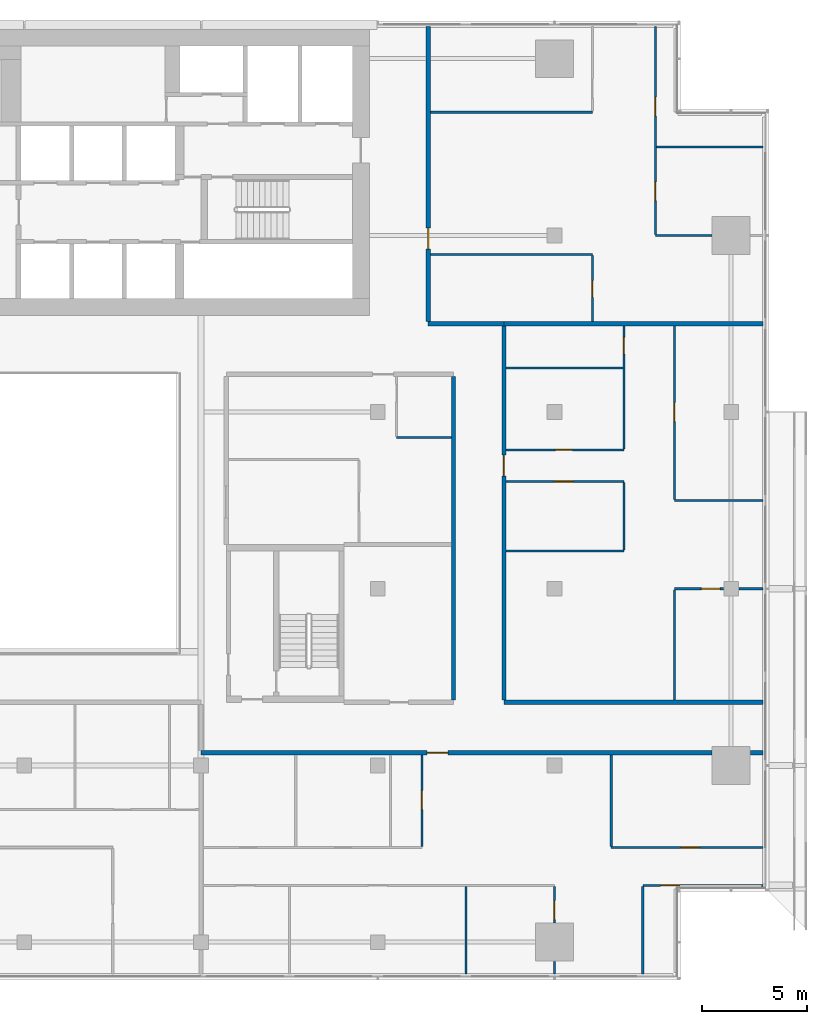
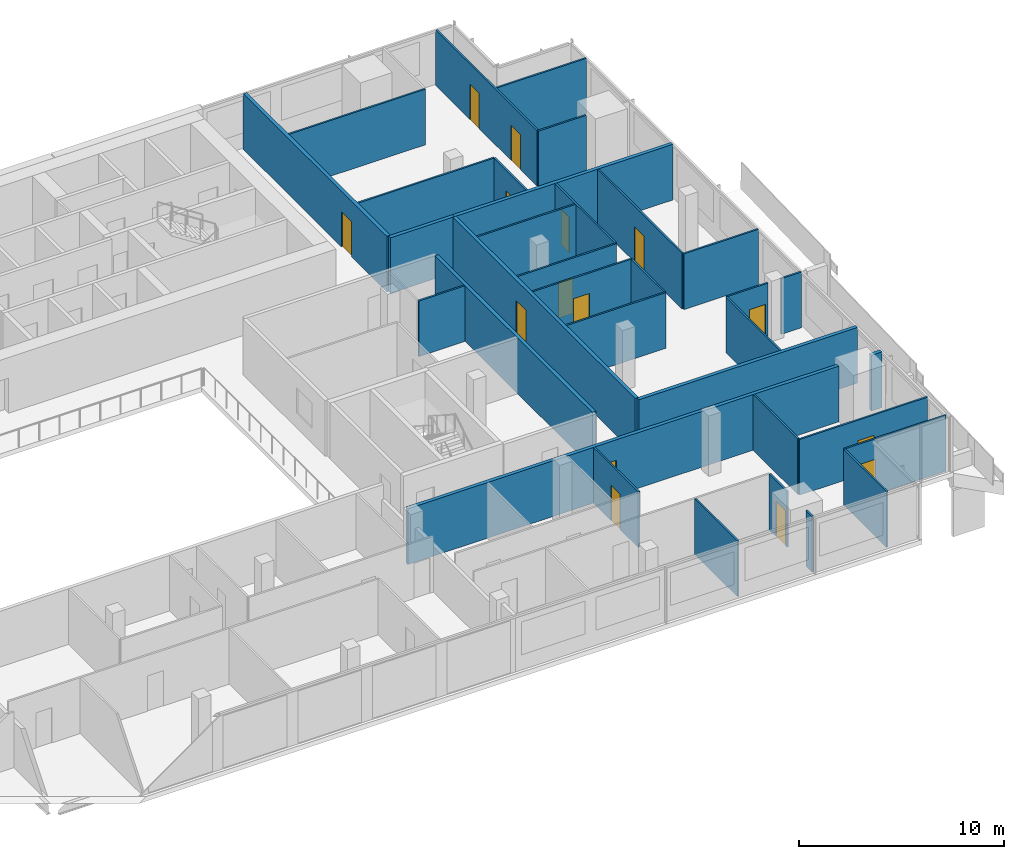
# One storey, part 22 of 27: 34 walls, 15 doors, 15 openings.
"""IFC4 building model written with IfcOpenShell, lengths in metres."""

from ifc_helpers import new_model, si_unit, direction, frame, frame_2d, origin, place, context, subcontext, project, spatial, rectangle, extrude, material, layer, layer_set, type_object, element, fill, save


model = new_model("IFC4")

# Units and contexts
model_context = context("Model", 3, precision=1e-05, world=origin(), true_north=direction((0.0, 1.0)))
body_context = subcontext(model_context, "Body", "Model", "MODEL_VIEW")
ifc_project = project(units=[si_unit("LENGTHUNIT", "METRE"), si_unit("AREAUNIT", "SQUARE_METRE"), si_unit("VOLUMEUNIT", "CUBIC_METRE"), si_unit("PLANEANGLEUNIT", "RADIAN"), si_unit("MASSUNIT", "GRAM", prefix="KILO")], contexts=[model_context])

# Site, building, storey
site_placement = place(None, origin())
site = spatial("IfcSite", under=ifc_project, at=site_placement, CompositionType="ELEMENT")
building_placement = place(site_placement, origin())
building = spatial("IfcBuilding", under=site, at=building_placement, Name="Saffron Gate Tower", CompositionType="ELEMENT")
storey_placement = place(building_placement, frame((0.0, 0.0, 183.449951171875)))
storey = spatial("IfcBuildingStorey", under=building, at=storey_placement, Name="L45", CompositionType="ELEMENT", Elevation=183.449951171875)

# Wall, opening, door
ifc_material_1 = material(Name="Plasterboard on steel studs", Category="steel")
ifc_layer_1 = layer(ifc_material_1, 0.10009765625)
ifc_layer_set_1 = layer_set([ifc_layer_1], Name="PW1 Partition 100")
wall_type_1 = type_object("IfcWallType", Name="PW1 Partition 100", PredefinedType="PARTITIONING", material=ifc_layer_set_1)
wall_1_placement = place(storey_placement, frame((126.919921875, 34.5, 0.0), z_axis=(0.0, 0.0, 1.0), x_axis=(-1.0, 0.0, 0.0)))
wall_1 = element("IfcWall", 1, at=wall_1_placement, inside=storey, type_object=wall_type_1, Name="Partition C4-2", PredefinedType="PARTITIONING", context=body_context, shape_type="SweptSolid", body=[
    extrude(rectangle(XDim=5.719970703125, YDim=0.10009765625, at=frame_2d((2.85986328125, 0.0))), origin(), (0.0, 0.0, 1.0), 3.320068359375),
])
opening_1_placement = place(wall_1_placement, frame((3.96630859375, 0.0, 0.0)))
opening_1 = element("IfcOpeningElement", 2, at=opening_1_placement, cuts=wall_1, Name="Opening C4-23", PredefinedType="OPENING", context=body_context, shape_type="SweptSolid", body=[
    extrude(rectangle(XDim=0.89990234375, YDim=2.10009765625, at=frame_2d((0.449951171875, 1.050048828125))), frame((0.0, 0.06005859375, 0.0), z_axis=(0.0, -1.0, 0.0), x_axis=(1.0, 0.0, 0.0)), (0.0, 0.0, 1.0), 0.1201171875),
])
ifc_material_2 = material(Name="Timber door set", Category="wood")
door_type_1 = type_object("IfcDoorType", Name="RD1 Room door 900x2100", OperationType="NOTDEFINED", PredefinedType="DOOR", material=ifc_material_2)
door_1_placement = place(opening_1_placement, origin())
door_1 = element("IfcDoor", 3, at=door_1_placement, inside=storey, type_object=door_type_1, Name="Door C4-23", OperationType="SINGLE_SWING_RIGHT", OverallHeight=2.10009765625, OverallWidth=0.89990234375, PredefinedType="DOOR", context=body_context, shape_type="SweptSolid", body=[
    extrude(rectangle(XDim=0.89990234375, YDim=2.10009765625, at=frame_2d((0.449951171875, 1.050048828125))), frame((0.0, 0.02490234375, 0.0), z_axis=(0.0, -1.0, 0.0), x_axis=(1.0, 0.0, 0.0)), (0.0, 0.0, 1.0), 0.050048828125),
])
fill(opening_1, door_1)

wall_2_placement = place(storey_placement, frame((119.699951171875, 36.300048828125, 0.0), z_axis=(0.0, 0.0, 1.0), x_axis=(1.0, 0.0, 0.0)))
wall_2 = element("IfcWall", 4, at=wall_2_placement, inside=storey, type_object=wall_type_1, Name="Partition C4-7", PredefinedType="PARTITIONING", context=body_context, shape_type="SweptSolid", body=[
    extrude(rectangle(XDim=7.219970703125, YDim=0.10009765625, at=frame_2d((3.60986328125, 0.0))), origin(), (0.0, 0.0, 1.0), 3.320068359375),
])
opening_2_placement = place(wall_2_placement, frame((3.300048828125, 0.0, 0.0)))
opening_2 = element("IfcOpeningElement", 5, at=opening_2_placement, cuts=wall_2, Name="Opening C4-24", PredefinedType="OPENING", context=body_context, shape_type="SweptSolid", body=[
    extrude(rectangle(XDim=0.89990234375, YDim=2.10009765625, at=frame_2d((0.449951171875, 1.050048828125))), frame((0.0, 0.06005859375, 0.0), z_axis=(0.0, -1.0, 0.0), x_axis=(1.0, 0.0, 0.0)), (0.0, 0.0, 1.0), 0.1201171875),
])
door_2_placement = place(opening_2_placement, origin())
door_2 = element("IfcDoor", 6, at=door_2_placement, inside=storey, type_object=door_type_1, Name="Door C4-24", OperationType="SINGLE_SWING_RIGHT", OverallHeight=2.10009765625, OverallWidth=0.89990234375, PredefinedType="DOOR", context=body_context, shape_type="SweptSolid", body=[
    extrude(rectangle(XDim=0.89990234375, YDim=2.10009765625, at=frame_2d((0.449951171875, 1.050048828125))), frame((0.0, 0.02490234375, 0.0), z_axis=(0.0, -1.0, 0.0), x_axis=(1.0, 0.0, 0.0)), (0.0, 0.0, 1.0), 0.050048828125),
])
fill(opening_2, door_2)

wall_3_placement = place(storey_placement, frame((125.030029296875, 48.60009765625, 0.0), z_axis=(0.0, 0.0, 1.0), x_axis=(-1.0, 0.0, 0.0)))
wall_3 = element("IfcWall", 7, at=wall_3_placement, inside=storey, type_object=wall_type_1, Name="Partition C4-24", PredefinedType="PARTITIONING", context=body_context, shape_type="SweptSolid", body=[
    extrude(rectangle(XDim=2.330078125, YDim=0.10009765625, at=frame_2d((1.1650390625, 0.0))), origin(), (0.0, 0.0, 1.0), 3.320068359375),
])
opening_3_placement = place(wall_3_placement, frame((0.14990234375, 0.0, 0.0)))
opening_3 = element("IfcOpeningElement", 8, at=opening_3_placement, cuts=wall_3, Name="Opening C4-32", PredefinedType="OPENING", context=body_context, shape_type="SweptSolid", body=[
    extrude(rectangle(XDim=0.89990234375, YDim=2.10009765625, at=frame_2d((0.449951171875, 1.050048828125))), frame((0.0, 0.06005859375, 0.0), z_axis=(0.0, -1.0, 0.0), x_axis=(1.0, 0.0, 0.0)), (0.0, 0.0, 1.0), 0.1201171875),
])
door_3_placement = place(opening_3_placement, origin())
door_3 = element("IfcDoor", 9, at=door_3_placement, inside=storey, type_object=door_type_1, Name="Door C4-32", OperationType="SINGLE_SWING_LEFT", OverallHeight=2.10009765625, OverallWidth=0.89990234375, PredefinedType="DOOR", context=body_context, shape_type="SweptSolid", body=[
    extrude(rectangle(XDim=0.89990234375, YDim=2.10009765625, at=frame_2d((0.449951171875, 1.050048828125))), frame((0.0, 0.02490234375, 0.0), z_axis=(0.0, -1.0, 0.0), x_axis=(1.0, 0.0, 0.0)), (0.0, 0.0, 1.0), 0.050048828125),
])
fill(opening_3, door_3)

# Walls
wall_4_placement = place(storey_placement, frame((125.77001953125, 48.60009765625, 0.0), z_axis=(0.0, 0.0, 1.0), x_axis=(1.0, 0.0, 0.0)))
element("IfcWall", 10, at=wall_4_placement, inside=storey, type_object=wall_type_1, Name="Partition C4-25", PredefinedType="PARTITIONING", context=body_context, shape_type="SweptSolid", body=[
    extrude(rectangle(XDim=1.14990234375, YDim=0.10009765625, at=frame_2d((0.574951171875, 0.0))), origin(), (0.0, 0.0, 1.0), 3.320068359375),
])
wall_5_placement = place(storey_placement, frame((114.699951171875, 50.39306640625, 0.0), z_axis=(0.0, 0.0, 1.0), x_axis=(1.0, 0.0, 0.0)))
element("IfcWall", 11, at=wall_5_placement, inside=storey, type_object=wall_type_1, Name="Partition C4-26", PredefinedType="PARTITIONING", context=body_context, shape_type="SweptSolid", body=[
    extrude(rectangle(XDim=5.60009765625, YDim=0.10009765625, at=frame_2d((2.800048828125, 0.0))), origin(), (0.0, 0.0, 1.0), 3.320068359375),
])
wall_6_placement = place(storey_placement, frame((122.699951171875, 52.800048828125, 0.0), z_axis=(0.0, 0.0, 1.0), x_axis=(1.0, 0.0, 0.0)))
element("IfcWall", 12, at=wall_6_placement, inside=storey, type_object=wall_type_1, Name="Partition C4-30", PredefinedType="PARTITIONING", context=body_context, shape_type="SweptSolid", body=[
    extrude(rectangle(XDim=4.219970703125, YDim=0.10009765625, at=frame_2d((2.10986328125, 0.0))), origin(), (0.0, 0.0, 1.0), 3.320068359375),
])

# Wall, opening, door
wall_7_placement = place(storey_placement, frame((120.300048828125, 53.699951171875, 0.0), z_axis=(0.0, 0.0, 1.0), x_axis=(-1.0, 0.0, 0.0)))
wall_7 = element("IfcWall", 13, at=wall_7_placement, inside=storey, type_object=wall_type_1, Name="Partition C4-31", PredefinedType="PARTITIONING", context=body_context, shape_type="SweptSolid", body=[
    extrude(rectangle(XDim=5.60009765625, YDim=0.10009765625, at=frame_2d((2.800048828125, 0.0))), origin(), (0.0, 0.0, 1.0), 3.320068359375),
])
opening_4_placement = place(wall_7_placement, frame((2.39990234375, 0.0, 0.0)))
opening_4 = element("IfcOpeningElement", 14, at=opening_4_placement, cuts=wall_7, Name="Opening C4-34", PredefinedType="OPENING", context=body_context, shape_type="SweptSolid", body=[
    extrude(rectangle(XDim=0.89990234375, YDim=2.10009765625, at=frame_2d((0.449951171875, 1.050048828125))), frame((0.0, 0.06005859375, 0.0), z_axis=(0.0, -1.0, 0.0), x_axis=(1.0, 0.0, 0.0)), (0.0, 0.0, 1.0), 0.1201171875),
])
door_4_placement = place(opening_4_placement, origin())
door_4 = element("IfcDoor", 15, at=door_4_placement, inside=storey, type_object=door_type_1, Name="Door C4-34", OperationType="SINGLE_SWING_RIGHT", OverallHeight=2.10009765625, OverallWidth=0.89990234375, PredefinedType="DOOR", context=body_context, shape_type="SweptSolid", body=[
    extrude(rectangle(XDim=0.89990234375, YDim=2.10009765625, at=frame_2d((0.449951171875, 1.050048828125))), frame((0.0, 0.02490234375, 0.0), z_axis=(0.0, -1.0, 0.0), x_axis=(1.0, 0.0, 0.0)), (0.0, 0.0, 1.0), 0.050048828125),
])
fill(opening_4, door_4)

wall_8_placement = place(storey_placement, frame((114.699951171875, 55.199951171875, 0.0), z_axis=(0.0, 0.0, 1.0), x_axis=(1.0, 0.0, 0.0)))
wall_8 = element("IfcWall", 16, at=wall_8_placement, inside=storey, type_object=wall_type_1, Name="Partition C4-34", PredefinedType="PARTITIONING", context=body_context, shape_type="SweptSolid", body=[
    extrude(rectangle(XDim=5.60009765625, YDim=0.10009765625, at=frame_2d((2.800048828125, 0.0))), origin(), (0.0, 0.0, 1.0), 3.320068359375),
])
opening_5_placement = place(wall_8_placement, frame((2.35009765625, 0.0, 0.0)))
opening_5 = element("IfcOpeningElement", 17, at=opening_5_placement, cuts=wall_8, Name="Opening C4-49", PredefinedType="OPENING", context=body_context, shape_type="SweptSolid", body=[
    extrude(rectangle(XDim=0.800048828125, YDim=2.10009765625, at=frame_2d((0.39990234375, 1.050048828125))), frame((0.0, 0.06005859375, 0.0), z_axis=(0.0, -1.0, 0.0), x_axis=(1.0, 0.0, 0.0)), (0.0, 0.0, 1.0), 0.1201171875),
])
door_type_2 = type_object("IfcDoorType", Name="RD2 Bathroom door 800x2100", OperationType="NOTDEFINED", PredefinedType="DOOR", material=ifc_material_2)
door_5_placement = place(opening_5_placement, origin())
door_5 = element("IfcDoor", 18, at=door_5_placement, inside=storey, type_object=door_type_2, Name="Door C4-49", OperationType="SINGLE_SWING_LEFT", OverallHeight=2.10009765625, OverallWidth=0.800048828125, PredefinedType="DOOR", context=body_context, shape_type="SweptSolid", body=[
    extrude(rectangle(XDim=0.800048828125, YDim=2.10009765625, at=frame_2d((0.39990234375, 1.050048828125))), frame((0.0, 0.02490234375, 0.0), z_axis=(0.0, -1.0, 0.0), x_axis=(1.0, 0.0, 0.0)), (0.0, 0.0, 1.0), 0.050048828125),
])
fill(opening_5, door_5)

# Walls
wall_9_placement = place(storey_placement, frame((109.5, 55.800048828125, 0.0), z_axis=(0.0, 0.0, 1.0), x_axis=(1.0, 0.0, 0.0)))
element("IfcWall", 19, at=wall_9_placement, inside=storey, type_object=wall_type_1, Name="Partition C4-36", PredefinedType="PARTITIONING", context=body_context, shape_type="SweptSolid", body=[
    extrude(rectangle(XDim=2.60009765625, YDim=0.10009765625, at=frame_2d((1.300048828125, 0.0))), origin(), (0.0, 0.0, 1.0), 3.320068359375),
])
wall_10_placement = place(storey_placement, frame((114.699951171875, 59.10009765625, 0.0), z_axis=(0.0, 0.0, 1.0), x_axis=(1.0, 0.0, 0.0)))
element("IfcWall", 20, at=wall_10_placement, inside=storey, type_object=wall_type_1, Name="Partition C4-41", PredefinedType="PARTITIONING", context=body_context, shape_type="SweptSolid", body=[
    extrude(rectangle(XDim=5.550048828125, YDim=0.10009765625, at=frame_2d((2.77490234375, 0.0))), origin(), (0.0, 0.0, 1.0), 3.320068359375),
])
wall_11_placement = place(storey_placement, frame((111.10009765625, 64.5, 0.0), z_axis=(0.0, 0.0, 1.0), x_axis=(1.0, 0.0, 0.0)))
element("IfcWall", 21, at=wall_11_placement, inside=storey, type_object=wall_type_1, Name="Partition C4-48", PredefinedType="PARTITIONING", context=body_context, shape_type="SweptSolid", body=[
    extrude(rectangle(XDim=7.699951171875, YDim=0.10009765625, at=frame_2d((3.85009765625, 0.0))), origin(), (0.0, 0.0, 1.0), 3.320068359375),
])
wall_12_placement = place(storey_placement, frame((121.800048828125, 65.39990234375, 0.0), z_axis=(0.0, 0.0, 1.0), x_axis=(1.0, 0.0, 0.0)))
element("IfcWall", 22, at=wall_12_placement, inside=storey, type_object=wall_type_1, Name="Partition C4-51", PredefinedType="PARTITIONING", context=body_context, shape_type="SweptSolid", body=[
    extrude(rectangle(XDim=2.679931640625, YDim=0.10009765625, at=frame_2d((1.33984375, 0.0))), origin(), (0.0, 0.0, 1.0), 3.320068359375),
])
wall_13_placement = place(storey_placement, frame((121.85009765625, 69.60009765625, 0.0), z_axis=(0.0, 0.0, 1.0), x_axis=(1.0, 0.0, 0.0)))
element("IfcWall", 23, at=wall_13_placement, inside=storey, type_object=wall_type_1, Name="Partition C4-54", PredefinedType="PARTITIONING", context=body_context, shape_type="SweptSolid", body=[
    extrude(rectangle(XDim=5.06982421875, YDim=0.10009765625, at=frame_2d((2.534912109375, 0.0))), origin(), (0.0, 0.0, 1.0), 3.320068359375),
])
wall_14_placement = place(storey_placement, frame((111.10009765625, 71.25634765625, 0.0), z_axis=(0.0, 0.0, 1.0), x_axis=(1.0, 0.0, 0.0)))
element("IfcWall", 24, at=wall_14_placement, inside=storey, type_object=wall_type_1, Name="Partition C4-56", PredefinedType="PARTITIONING", context=body_context, shape_type="SweptSolid", body=[
    extrude(rectangle(XDim=7.699951171875, YDim=0.10009765625, at=frame_2d((3.85009765625, 0.0))), origin(), (0.0, 0.0, 1.0), 3.320068359375),
])

# Wall, opening, door
wall_15_placement = place(storey_placement, frame((110.699951171875, 36.35009765625, 0.0), z_axis=(0.0, 0.0, 1.0), x_axis=(0.0, 1.0, 0.0)))
wall_15 = element("IfcWall", 25, at=wall_15_placement, inside=storey, type_object=wall_type_1, Name="Partition C4-99", PredefinedType="PARTITIONING", context=body_context, shape_type="SweptSolid", body=[
    extrude(rectangle(XDim=4.349853515625, YDim=0.10009765625, at=frame_2d((2.1748046875, 0.0))), origin(), (0.0, 0.0, 1.0), 3.320068359375),
])
opening_6_placement = place(wall_15_placement, frame((1.75, 0.0, 0.0)))
opening_6 = element("IfcOpeningElement", 26, at=opening_6_placement, cuts=wall_15, Name="Opening C4-25", PredefinedType="OPENING", context=body_context, shape_type="SweptSolid", body=[
    extrude(rectangle(XDim=0.89990234375, YDim=2.10009765625, at=frame_2d((0.449951171875, 1.050048828125))), frame((0.0, 0.06005859375, 0.0), z_axis=(0.0, -1.0, 0.0), x_axis=(1.0, 0.0, 0.0)), (0.0, 0.0, 1.0), 0.1201171875),
])
door_6_placement = place(opening_6_placement, origin())
door_6 = element("IfcDoor", 27, at=door_6_placement, inside=storey, type_object=door_type_1, Name="Door C4-25", OperationType="SINGLE_SWING_RIGHT", OverallHeight=2.10009765625, OverallWidth=0.89990234375, PredefinedType="DOOR", context=body_context, shape_type="SweptSolid", body=[
    extrude(rectangle(XDim=0.89990234375, YDim=2.10009765625, at=frame_2d((0.449951171875, 1.050048828125))), frame((0.0, 0.02490234375, 0.0), z_axis=(0.0, -1.0, 0.0), x_axis=(1.0, 0.0, 0.0)), (0.0, 0.0, 1.0), 0.050048828125),
])
fill(opening_6, door_6)

# Walls
wall_16_placement = place(storey_placement, frame((112.800048828125, 34.449951171875, 0.0), z_axis=(0.0, 0.0, 1.0), x_axis=(0.0, -1.0, 0.0)))
element("IfcWall", 28, at=wall_16_placement, inside=storey, type_object=wall_type_1, Name="Partition C4-102", PredefinedType="PARTITIONING", context=body_context, shape_type="SweptSolid", body=[
    extrude(rectangle(XDim=4.169921875, YDim=0.10009765625, at=frame_2d((2.0849609375, 0.0))), origin(), (0.0, 0.0, 1.0), 3.320068359375),
])
wall_17_placement = place(storey_placement, frame((117.0, 30.8798828125, 0.0), z_axis=(0.0, 0.0, 1.0), x_axis=(0.0, -1.0, 0.0)))
element("IfcWall", 29, at=wall_17_placement, inside=storey, type_object=wall_type_1, Name="Partition C4-104", PredefinedType="PARTITIONING", context=body_context, shape_type="SweptSolid", body=[
    extrude(rectangle(XDim=0.599853515625, YDim=0.10009765625, at=frame_2d((0.2998046875, 0.0))), origin(), (0.0, 0.0, 1.0), 3.320068359375),
])

# Wall, opening, door
wall_18_placement = place(storey_placement, frame((117.0, 32.719970703125, 0.0), z_axis=(0.0, 0.0, 1.0), x_axis=(0.0, 1.0, 0.0)))
wall_18 = element("IfcWall", 30, at=wall_18_placement, inside=storey, type_object=wall_type_1, Name="Partition C4-105", PredefinedType="PARTITIONING", context=body_context, shape_type="SweptSolid", body=[
    extrude(rectangle(XDim=1.72998046875, YDim=0.10009765625, at=frame_2d((0.864990234375, 0.0))), origin(), (0.0, 0.0, 1.0), 3.320068359375),
])
opening_7_placement = place(wall_18_placement, frame((0.14990234375, 0.0, 0.0)))
opening_7 = element("IfcOpeningElement", 31, at=opening_7_placement, cuts=wall_18, Name="Opening C4-22", PredefinedType="OPENING", context=body_context, shape_type="SweptSolid", body=[
    extrude(rectangle(XDim=0.89990234375, YDim=2.10009765625, at=frame_2d((0.449951171875, 1.050048828125))), frame((0.0, 0.06005859375, 0.0), z_axis=(0.0, -1.0, 0.0), x_axis=(1.0, 0.0, 0.0)), (0.0, 0.0, 1.0), 0.1201171875),
])
door_7_placement = place(opening_7_placement, origin())
door_7 = element("IfcDoor", 32, at=door_7_placement, inside=storey, type_object=door_type_1, Name="Door C4-22", OperationType="SINGLE_SWING_LEFT", OverallHeight=2.10009765625, OverallWidth=0.89990234375, PredefinedType="DOOR", context=body_context, shape_type="SweptSolid", body=[
    extrude(rectangle(XDim=0.89990234375, YDim=2.10009765625, at=frame_2d((0.449951171875, 1.050048828125))), frame((0.0, 0.02490234375, 0.0), z_axis=(0.0, -1.0, 0.0), x_axis=(1.0, 0.0, 0.0)), (0.0, 0.0, 1.0), 0.050048828125),
])
fill(opening_7, door_7)

wall_19_placement = place(storey_placement, frame((118.800048828125, 61.300048828125, 0.0), z_axis=(0.0, 0.0, 1.0), x_axis=(0.0, 1.0, 0.0)))
wall_19 = element("IfcWall", 33, at=wall_19_placement, inside=storey, type_object=wall_type_1, Name="Partition C4-106", PredefinedType="PARTITIONING", context=body_context, shape_type="SweptSolid", body=[
    extrude(rectangle(XDim=3.14990234375, YDim=0.10009765625, at=frame_2d((1.574951171875, 0.0))), origin(), (0.0, 0.0, 1.0), 3.320068359375),
])
opening_8_placement = place(wall_19_placement, frame((1.14990234375, 0.0, 0.0)))
opening_8 = element("IfcOpeningElement", 34, at=opening_8_placement, cuts=wall_19, Name="Opening C4-51", PredefinedType="OPENING", context=body_context, shape_type="SweptSolid", body=[
    extrude(rectangle(XDim=0.800048828125, YDim=2.10009765625, at=frame_2d((0.39990234375, 1.050048828125))), frame((0.0, 0.06005859375, 0.0), z_axis=(0.0, -1.0, 0.0), x_axis=(1.0, 0.0, 0.0)), (0.0, 0.0, 1.0), 0.1201171875),
])
door_8_placement = place(opening_8_placement, origin())
door_8 = element("IfcDoor", 35, at=door_8_placement, inside=storey, type_object=door_type_2, Name="Door C4-51", OperationType="SINGLE_SWING_LEFT", OverallHeight=2.10009765625, OverallWidth=0.800048828125, PredefinedType="DOOR", context=body_context, shape_type="SweptSolid", body=[
    extrude(rectangle(XDim=0.800048828125, YDim=2.10009765625, at=frame_2d((0.39990234375, 1.050048828125))), frame((0.0, 0.02490234375, 0.0), z_axis=(0.0, -1.0, 0.0), x_axis=(1.0, 0.0, 0.0)), (0.0, 0.0, 1.0), 0.050048828125),
])
fill(opening_8, door_8)

# Walls
wall_20_placement = place(storey_placement, frame((119.699951171875, 40.699951171875, 0.0), z_axis=(0.0, 0.0, 1.0), x_axis=(0.0, -1.0, 0.0)))
element("IfcWall", 36, at=wall_20_placement, inside=storey, type_object=wall_type_1, Name="Partition C4-108", PredefinedType="PARTITIONING", context=body_context, shape_type="SweptSolid", body=[
    extrude(rectangle(XDim=4.349853515625, YDim=0.10009765625, at=frame_2d((2.1748046875, 0.0))), origin(), (0.0, 0.0, 1.0), 3.320068359375),
])
wall_21_placement = place(storey_placement, frame((120.300048828125, 53.64990234375, 0.0), z_axis=(0.0, 0.0, 1.0), x_axis=(0.0, -1.0, 0.0)))
element("IfcWall", 37, at=wall_21_placement, inside=storey, type_object=wall_type_1, Name="Partition C4-109", PredefinedType="PARTITIONING", context=body_context, shape_type="SweptSolid", body=[
    extrude(rectangle(XDim=3.206787109375, YDim=0.10009765625, at=frame_2d((1.603515625, 0.0))), origin(), (0.0, 0.0, 1.0), 3.320068359375),
])

# Wall, opening, door
wall_22_placement = place(storey_placement, frame((120.300048828125, 55.25, 0.0), z_axis=(0.0, 0.0, 1.0), x_axis=(0.0, 1.0, 0.0)))
wall_22 = element("IfcWall", 38, at=wall_22_placement, inside=storey, type_object=wall_type_1, Name="Partition C4-110", PredefinedType="PARTITIONING", context=body_context, shape_type="SweptSolid", body=[
    extrude(rectangle(XDim=5.85009765625, YDim=0.10009765625, at=frame_2d((2.925048828125, 0.0))), origin(), (0.0, 0.0, 1.0), 3.320068359375),
])
opening_9_placement = place(wall_22_placement, frame((4.5, 0.0, 0.0)))
opening_9 = element("IfcOpeningElement", 39, at=opening_9_placement, cuts=wall_22, Name="Opening C4-50", PredefinedType="OPENING", context=body_context, shape_type="SweptSolid", body=[
    extrude(rectangle(XDim=0.800048828125, YDim=2.10009765625, at=frame_2d((0.39990234375, 1.050048828125))), frame((0.0, 0.06005859375, 0.0), z_axis=(0.0, -1.0, 0.0), x_axis=(1.0, 0.0, 0.0)), (0.0, 0.0, 1.0), 0.1201171875),
])
door_9_placement = place(opening_9_placement, origin())
door_9 = element("IfcDoor", 40, at=door_9_placement, inside=storey, type_object=door_type_2, Name="Door C4-50", OperationType="SINGLE_SWING_RIGHT", OverallHeight=2.10009765625, OverallWidth=0.800048828125, PredefinedType="DOOR", context=body_context, shape_type="SweptSolid", body=[
    extrude(rectangle(XDim=0.800048828125, YDim=2.10009765625, at=frame_2d((0.39990234375, 1.050048828125))), frame((0.0, 0.02490234375, 0.0), z_axis=(0.0, -1.0, 0.0), x_axis=(1.0, 0.0, 0.0)), (0.0, 0.0, 1.0), 0.050048828125),
])
fill(opening_9, door_9)

# Wall
wall_23_placement = place(storey_placement, frame((121.199951171875, 34.449951171875, 0.0), z_axis=(0.0, 0.0, 1.0), x_axis=(0.0, -1.0, 0.0)))
element("IfcWall", 41, at=wall_23_placement, inside=storey, type_object=wall_type_1, Name="Partition C4-111", PredefinedType="PARTITIONING", context=body_context, shape_type="SweptSolid", body=[
    extrude(rectangle(XDim=4.169921875, YDim=0.10009765625, at=frame_2d((2.0849609375, 0.0))), origin(), (0.0, 0.0, 1.0), 3.320068359375),
])

# Wall, openings, doors
wall_24_placement = place(storey_placement, frame((121.800048828125, 75.320068359375, 0.0), z_axis=(0.0, 0.0, 1.0), x_axis=(0.0, -1.0, 0.0)))
wall_24 = element("IfcWall", 42, at=wall_24_placement, inside=storey, type_object=wall_type_1, Name="Partition C4-112", PredefinedType="PARTITIONING", context=body_context, shape_type="SweptSolid", body=[
    extrude(rectangle(XDim=9.8701171875, YDim=0.10009765625, at=frame_2d((4.93505859375, 0.0))), origin(), (0.0, 0.0, 1.0), 3.320068359375),
])
opening_10_placement = place(wall_24_placement, frame((3.345703125, 0.0, 0.0)))
opening_10 = element("IfcOpeningElement", 43, at=opening_10_placement, cuts=wall_24, Name="Opening C4-36", PredefinedType="OPENING", context=body_context, shape_type="SweptSolid", body=[
    extrude(rectangle(XDim=0.89990234375, YDim=2.10009765625, at=frame_2d((0.449951171875, 1.050048828125))), frame((0.0, 0.06005859375, 0.0), z_axis=(0.0, -1.0, 0.0), x_axis=(1.0, 0.0, 0.0)), (0.0, 0.0, 1.0), 0.1201171875),
])
opening_11_placement = place(wall_24_placement, frame((7.3701171875, 0.0, 0.0)))
opening_11 = element("IfcOpeningElement", 44, at=opening_11_placement, cuts=wall_24, Name="Opening C4-35", PredefinedType="OPENING", context=body_context, shape_type="SweptSolid", body=[
    extrude(rectangle(XDim=0.89990234375, YDim=2.10009765625, at=frame_2d((0.449951171875, 1.050048828125))), frame((0.0, 0.06005859375, 0.0), z_axis=(0.0, -1.0, 0.0), x_axis=(1.0, 0.0, 0.0)), (0.0, 0.0, 1.0), 0.1201171875),
])
door_10_placement = place(opening_10_placement, origin())
door_10 = element("IfcDoor", 45, at=door_10_placement, inside=storey, type_object=door_type_1, Name="Door C4-36", OperationType="SINGLE_SWING_RIGHT", OverallHeight=2.10009765625, OverallWidth=0.89990234375, PredefinedType="DOOR", context=body_context, shape_type="SweptSolid", body=[
    extrude(rectangle(XDim=0.89990234375, YDim=2.10009765625, at=frame_2d((0.449951171875, 1.050048828125))), frame((0.0, 0.02490234375, 0.0), z_axis=(0.0, -1.0, 0.0), x_axis=(1.0, 0.0, 0.0)), (0.0, 0.0, 1.0), 0.050048828125),
])
fill(opening_10, door_10)
door_11_placement = place(opening_11_placement, origin())
door_11 = element("IfcDoor", 46, at=door_11_placement, inside=storey, type_object=door_type_1, Name="Door C4-35", OperationType="SINGLE_SWING_RIGHT", OverallHeight=2.10009765625, OverallWidth=0.89990234375, PredefinedType="DOOR", context=body_context, shape_type="SweptSolid", body=[
    extrude(rectangle(XDim=0.89990234375, YDim=2.10009765625, at=frame_2d((0.449951171875, 1.050048828125))), frame((0.0, 0.02490234375, 0.0), z_axis=(0.0, -1.0, 0.0), x_axis=(1.0, 0.0, 0.0)), (0.0, 0.0, 1.0), 0.050048828125),
])
fill(opening_11, door_11)

# Wall
wall_25_placement = place(storey_placement, frame((122.699951171875, 48.550048828125, 0.0), z_axis=(0.0, 0.0, 1.0), x_axis=(0.0, -1.0, 0.0)))
element("IfcWall", 47, at=wall_25_placement, inside=storey, type_object=wall_type_1, Name="Partition C4-113", PredefinedType="PARTITIONING", context=body_context, shape_type="SweptSolid", body=[
    extrude(rectangle(XDim=5.25, YDim=0.10009765625, at=frame_2d((2.625, 0.0))), origin(), (0.0, 0.0, 1.0), 3.320068359375),
])

# Wall, opening, door
wall_26_placement = place(storey_placement, frame((122.699951171875, 61.10009765625, 0.0), z_axis=(0.0, 0.0, 1.0), x_axis=(0.0, -1.0, 0.0)))
wall_26 = element("IfcWall", 48, at=wall_26_placement, inside=storey, type_object=wall_type_1, Name="Partition C4-114", PredefinedType="PARTITIONING", context=body_context, shape_type="SweptSolid", body=[
    extrude(rectangle(XDim=8.25, YDim=0.10009765625, at=frame_2d((4.125, 0.0))), origin(), (0.0, 0.0, 1.0), 3.320068359375),
])
opening_12_placement = place(wall_26_placement, frame((3.64990234375, 0.0, 0.0)))
opening_12 = element("IfcOpeningElement", 49, at=opening_12_placement, cuts=wall_26, Name="Opening C4-33", PredefinedType="OPENING", context=body_context, shape_type="SweptSolid", body=[
    extrude(rectangle(XDim=0.89990234375, YDim=2.10009765625, at=frame_2d((0.449951171875, 1.050048828125))), frame((0.0, 0.06005859375, 0.0), z_axis=(0.0, -1.0, 0.0), x_axis=(1.0, 0.0, 0.0)), (0.0, 0.0, 1.0), 0.1201171875),
])
door_12_placement = place(opening_12_placement, origin())
door_12 = element("IfcDoor", 50, at=door_12_placement, inside=storey, type_object=door_type_1, Name="Door C4-33", OperationType="SINGLE_SWING_LEFT", OverallHeight=2.10009765625, OverallWidth=0.89990234375, PredefinedType="DOOR", context=body_context, shape_type="SweptSolid", body=[
    extrude(rectangle(XDim=0.89990234375, YDim=2.10009765625, at=frame_2d((0.449951171875, 1.050048828125))), frame((0.0, 0.02490234375, 0.0), z_axis=(0.0, -1.0, 0.0), x_axis=(1.0, 0.0, 0.0)), (0.0, 0.0, 1.0), 0.050048828125),
])
fill(opening_12, door_12)

# Wall
ifc_material_3 = material(Name="Clay brick masonry, rendered", Category="masonry")
ifc_layer_2 = layer(ifc_material_3, 0.199951171875)
ifc_layer_set_2 = layer_set([ifc_layer_2], Name="PW2 Demising wall 200")
wall_type_2 = type_object("IfcWallType", Name="PW2 Demising wall 200", PredefinedType="PARTITIONING", material=ifc_layer_set_2)
wall_27_placement = place(storey_placement, frame((114.60009765625, 61.199951171875, 0.0), z_axis=(0.0, 0.0, 1.0), x_axis=(1.0, 0.0, 0.0)))
element("IfcWall", 51, at=wall_27_placement, inside=storey, type_object=wall_type_2, Name="Wall C4-46", PredefinedType="PARTITIONING", context=body_context, shape_type="SweptSolid", body=[
    extrude(rectangle(XDim=12.31982421875, YDim=0.199951171875, at=frame_2d((6.159912109375, 0.0))), origin(), (0.0, 0.0, 1.0), 3.320068359375),
])

# Wall, opening, door
ifc_layer_3 = layer(ifc_material_3, 0.199951171875)
ifc_layer_set_3 = layer_set([ifc_layer_3], Name="PW3 Corridor wall 200")
wall_type_3 = type_object("IfcWallType", Name="PW3 Corridor wall 200", PredefinedType="PARTITIONING", material=ifc_layer_set_3)
wall_28_placement = place(storey_placement, frame((124.47998046875, 40.800048828125, 0.0), z_axis=(0.0, 0.0, 1.0), x_axis=(-1.0, 0.0, 0.0)))
wall_28 = element("IfcWall", 52, at=wall_28_placement, inside=storey, type_object=wall_type_3, Name="Wall C4-14", PredefinedType="PARTITIONING", context=body_context, shape_type="SweptSolid", body=[
    extrude(rectangle(XDim=24.280029296875, YDim=0.199951171875, at=frame_2d((12.14013671875, 0.0))), origin(), (0.0, 0.0, 1.0), 3.320068359375),
])
opening_13_placement = place(wall_28_placement, frame((12.530029296875, 0.0, 0.0)))
opening_13 = element("IfcOpeningElement", 53, at=opening_13_placement, cuts=wall_28, Name="Opening C4-3", PredefinedType="OPENING", context=body_context, shape_type="SweptSolid", body=[
    extrude(rectangle(XDim=1.0, YDim=2.10009765625, at=frame_2d((0.5, 1.050048828125))), frame((0.0, 0.10986328125, 0.0), z_axis=(0.0, -1.0, 0.0), x_axis=(1.0, 0.0, 0.0)), (0.0, 0.0, 1.0), 0.219970703125),
])
ifc_material_4 = material(Name="Timber fire door set", Category="wood")
door_type_3 = type_object("IfcDoorType", Name="FD1 Flat entry door 1000x2100", OperationType="NOTDEFINED", PredefinedType="DOOR", material=ifc_material_4)
door_13_placement = place(opening_13_placement, origin())
door_13 = element("IfcDoor", 54, at=door_13_placement, inside=storey, type_object=door_type_3, Name="Door C4-3", OperationType="SINGLE_SWING_RIGHT", OverallHeight=2.10009765625, OverallWidth=1.0, PredefinedType="DOOR", context=body_context, shape_type="SweptSolid", body=[
    extrude(rectangle(XDim=1.0, YDim=2.10009765625, at=frame_2d((0.5, 1.050048828125))), frame((0.0, 0.02490234375, 0.0), z_axis=(0.0, -1.0, 0.0), x_axis=(1.0, 0.0, 0.0)), (0.0, 0.0, 1.0), 0.050048828125),
])
fill(opening_13, door_13)

# Walls
wall_29_placement = place(storey_placement, frame((126.320068359375, 40.800048828125, 0.0), z_axis=(0.0, 0.0, 1.0), x_axis=(1.0, 0.0, 0.0)))
element("IfcWall", 55, at=wall_29_placement, inside=storey, type_object=wall_type_3, Name="Wall C4-15", PredefinedType="PARTITIONING", context=body_context, shape_type="SweptSolid", body=[
    extrude(rectangle(XDim=0.599853515625, YDim=0.199951171875, at=frame_2d((0.2998046875, 0.0))), origin(), (0.0, 0.0, 1.0), 3.320068359375),
])
wall_30_placement = place(storey_placement, frame((114.60009765625, 43.199951171875, 0.0), z_axis=(0.0, 0.0, 1.0), x_axis=(1.0, 0.0, 0.0)))
element("IfcWall", 56, at=wall_30_placement, inside=storey, type_object=wall_type_3, Name="Wall C4-20", PredefinedType="PARTITIONING", context=body_context, shape_type="SweptSolid", body=[
    extrude(rectangle(XDim=12.31982421875, YDim=0.199951171875, at=frame_2d((6.159912109375, 0.0))), origin(), (0.0, 0.0, 1.0), 3.320068359375),
])
wall_31_placement = place(storey_placement, frame((111.0, 61.199951171875, 0.0), z_axis=(0.0, 0.0, 1.0), x_axis=(1.0, 0.0, 0.0)))
element("IfcWall", 57, at=wall_31_placement, inside=storey, type_object=wall_type_3, Name="Wall C4-44", PredefinedType="PARTITIONING", context=body_context, shape_type="SweptSolid", body=[
    extrude(rectangle(XDim=3.60009765625, YDim=0.199951171875, at=frame_2d((1.800048828125, 0.0))), origin(), (0.0, 0.0, 1.0), 3.320068359375),
])

# Wall, opening, door
wall_32_placement = place(storey_placement, frame((111.0, 75.320068359375, 0.0), z_axis=(0.0, 0.0, 1.0), x_axis=(0.0, -1.0, 0.0)))
wall_32 = element("IfcWall", 58, at=wall_32_placement, inside=storey, type_object=wall_type_3, Name="Wall C4-100", PredefinedType="PARTITIONING", context=body_context, shape_type="SweptSolid", body=[
    extrude(rectangle(XDim=14.02001953125, YDim=0.199951171875, at=frame_2d((7.010009765625, 0.0))), origin(), (0.0, 0.0, 1.0), 3.320068359375),
])
opening_14_placement = place(wall_32_placement, frame((9.570068359375, 0.0, 0.0)))
opening_14 = element("IfcOpeningElement", 59, at=opening_14_placement, cuts=wall_32, Name="Opening C4-7", PredefinedType="OPENING", context=body_context, shape_type="SweptSolid", body=[
    extrude(rectangle(XDim=1.0, YDim=2.10009765625, at=frame_2d((0.5, 1.050048828125))), frame((0.0, 0.10986328125, 0.0), z_axis=(0.0, -1.0, 0.0), x_axis=(1.0, 0.0, 0.0)), (0.0, 0.0, 1.0), 0.219970703125),
])
door_14_placement = place(opening_14_placement, origin())
door_14 = element("IfcDoor", 60, at=door_14_placement, inside=storey, type_object=door_type_3, Name="Door C4-7", OperationType="SINGLE_SWING_RIGHT", OverallHeight=2.10009765625, OverallWidth=1.0, PredefinedType="DOOR", context=body_context, shape_type="SweptSolid", body=[
    extrude(rectangle(XDim=1.0, YDim=2.10009765625, at=frame_2d((0.5, 1.050048828125))), frame((0.0, 0.02490234375, 0.0), z_axis=(0.0, -1.0, 0.0), x_axis=(1.0, 0.0, 0.0)), (0.0, 0.0, 1.0), 0.050048828125),
])
fill(opening_14, door_14)

# Wall
wall_33_placement = place(storey_placement, frame((112.199951171875, 58.699951171875, 0.0), z_axis=(0.0, 0.0, 1.0), x_axis=(0.0, -1.0, 0.0)))
element("IfcWall", 61, at=wall_33_placement, inside=storey, type_object=wall_type_3, Name="Wall C4-101", PredefinedType="PARTITIONING", context=body_context, shape_type="SweptSolid", body=[
    extrude(rectangle(XDim=15.39990234375, YDim=0.199951171875, at=frame_2d((7.699951171875, 0.0))), origin(), (0.0, 0.0, 1.0), 3.320068359375),
])

# Wall, opening, door
wall_34_placement = place(storey_placement, frame((114.60009765625, 61.10009765625, 0.0), z_axis=(0.0, 0.0, 1.0), x_axis=(0.0, -1.0, 0.0)))
wall_34 = element("IfcWall", 62, at=wall_34_placement, inside=storey, type_object=wall_type_3, Name="Wall C4-103", PredefinedType="PARTITIONING", context=body_context, shape_type="SweptSolid", body=[
    extrude(rectangle(XDim=17.800048828125, YDim=0.199951171875, at=frame_2d((8.89990234375, 0.0))), origin(), (0.0, 0.0, 1.0), 3.320068359375),
])
opening_15_placement = place(wall_34_placement, frame((6.14990234375, 0.0, 0.0)))
opening_15 = element("IfcOpeningElement", 63, at=opening_15_placement, cuts=wall_34, Name="Opening C4-6", PredefinedType="OPENING", context=body_context, shape_type="SweptSolid", body=[
    extrude(rectangle(XDim=1.0, YDim=2.10009765625, at=frame_2d((0.5, 1.050048828125))), frame((0.0, 0.10986328125, 0.0), z_axis=(0.0, -1.0, 0.0), x_axis=(1.0, 0.0, 0.0)), (0.0, 0.0, 1.0), 0.219970703125),
])
door_15_placement = place(opening_15_placement, origin())
door_15 = element("IfcDoor", 64, at=door_15_placement, inside=storey, type_object=door_type_3, Name="Door C4-6", OperationType="SINGLE_SWING_LEFT", OverallHeight=2.10009765625, OverallWidth=1.0, PredefinedType="DOOR", context=body_context, shape_type="SweptSolid", body=[
    extrude(rectangle(XDim=1.0, YDim=2.10009765625, at=frame_2d((0.5, 1.050048828125))), frame((0.0, 0.02490234375, 0.0), z_axis=(0.0, -1.0, 0.0), x_axis=(1.0, 0.0, 0.0)), (0.0, 0.0, 1.0), 0.050048828125),
])
fill(opening_15, door_15)

save(model, "model.ifc")
